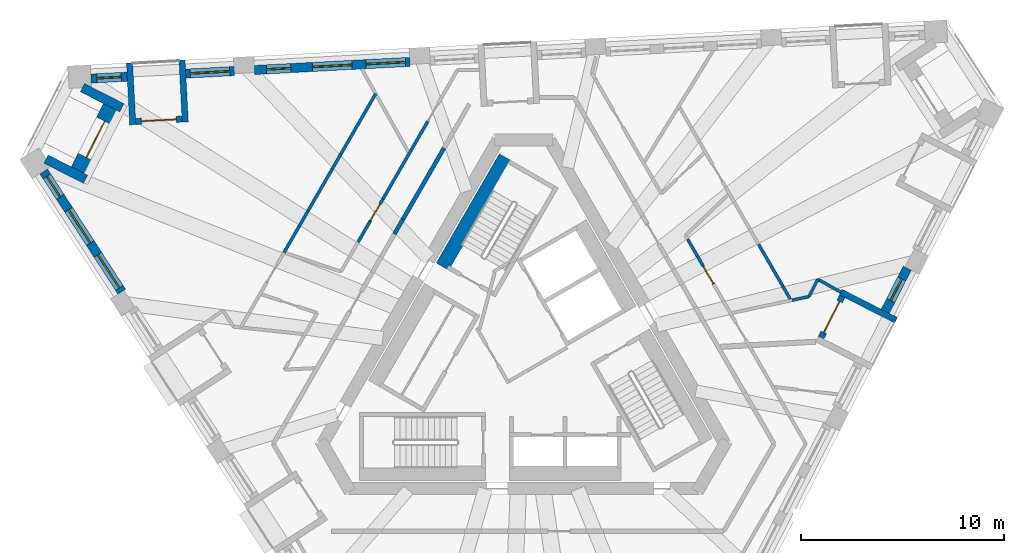
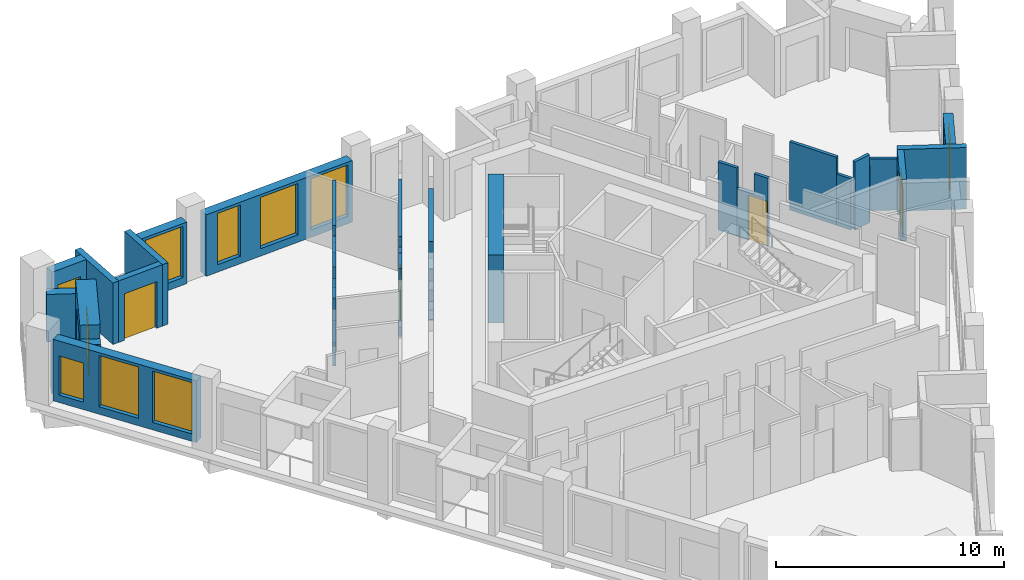
# One storey, part 6 of 12: 31 walls, 9 windows, 5 doors, 14 openings.
"""IFC4 building model written with IfcOpenShell, lengths in metres."""

from ifc_helpers import new_model, si_unit, direction, frame, frame_2d, origin, place, context, subcontext, project, spatial, polyline, rectangle, outline, extrude, material, layer, layer_set, type_object, element, fill, save


model = new_model("IFC4")

# Units and contexts
model_context = context("Model", 3, precision=1e-05, world=origin(), true_north=direction((0.0, 1.0)))
body_context = subcontext(model_context, "Body", "Model", "MODEL_VIEW")
ifc_project = project(units=[si_unit("LENGTHUNIT", "METRE"), si_unit("AREAUNIT", "SQUARE_METRE"), si_unit("VOLUMEUNIT", "CUBIC_METRE"), si_unit("PLANEANGLEUNIT", "RADIAN"), si_unit("MASSUNIT", "GRAM", prefix="KILO")], contexts=[model_context])

# Site, building, storey
site_placement = place(None, origin())
site = spatial("IfcSite", under=ifc_project, at=site_placement, CompositionType="ELEMENT")
building_placement = place(site_placement, origin())
building = spatial("IfcBuilding", under=site, at=building_placement, Name="Tramontana Tower", CompositionType="ELEMENT")
storey_placement = place(building_placement, frame((0.0, 0.0, 302.39990234375)))
storey = spatial("IfcBuildingStorey", under=building, at=storey_placement, Name="L71", CompositionType="ELEMENT", Elevation=302.39990234375)

# Walls
ifc_material_1 = material(Name="Blockwork", Category="masonry")
ifc_layer_1 = layer(ifc_material_1, 0.199951171875)
ifc_layer_set_1 = layer_set([ifc_layer_1], Name="ENTRY WALL 200")
wall_type_1 = type_object("IfcWallType", Name="ENTRY WALL 200", PredefinedType="SOLIDWALL", material=ifc_layer_set_1)
wall_1_placement = place(storey_placement, frame((-6.36328125, 6.07861328125, 0.0), z_axis=(0.0, 0.0, 1.0), x_axis=(0.499950631041, 0.86605390509, 0.0)))
element("IfcWall", 1, at=wall_1_placement, inside=storey, type_object=wall_type_1, Name="Wall v72-ew3-8", PredefinedType="SOLIDWALL", context=body_context, shape_type="SweptSolid", body=[
    extrude(rectangle(XDim=0.83349609375, YDim=0.199951171875, at=frame_2d((0.416748046875, 0.0))), origin(), (0.0, 0.0, 1.0), 2.75),
])
wall_2_placement = place(storey_placement, frame((-5.946533203125, 6.800537109375, 0.0), z_axis=(0.0, 0.0, 1.0), x_axis=(0.500007556608, 0.866021040931, 0.0)))
element("IfcWall", 2, at=wall_2_placement, inside=storey, type_object=wall_type_1, Name="Wall v72-ew3-9", PredefinedType="SOLIDWALL", context=body_context, shape_type="SweptSolid", body=[
    extrude(rectangle(XDim=4.05224609375, YDim=0.199951171875, at=frame_2d((2.026123046875, 0.0))), origin(), (0.0, 0.0, 1.0), 3.650146484375),
])

# Wall, openings, windows
ifc_material_2 = material(Name="Precast concrete 60 MPa", Category="concrete")
ifc_layer_2 = layer(ifc_material_2, 0.449951171875)
ifc_layer_set_2 = layer_set([ifc_layer_2], Name="Precast concrete 60 MPa, 450 mm")
wall_type_2 = type_object("IfcWallType", Name="EW1 Stone-faced precast wall 450", PredefinedType="SOLIDWALL", material=ifc_layer_set_2)
wall_3_placement = place(storey_placement, frame((-23.6259765625, 9.160888671875, 0.0), z_axis=(0.0, 0.0, 1.0), x_axis=(0.54463703186, -0.838671868806, 0.0)))
wall_3 = element("IfcWall", 3, at=wall_3_placement, inside=storey, type_object=wall_type_2, Name="External wall L71 face 0 bay 1", PredefinedType="SOLIDWALL", context=body_context, shape_type="SweptSolid", body=[
    extrude(rectangle(XDim=7.06005859375, YDim=0.449951171875, at=frame_2d((3.530029296875, 0.0))), origin(), (0.0, 0.0, 1.0), 3.300048828125),
])
opening_1_placement = place(wall_3_placement, frame((0.29345703125, 0.0, 0.39990234375)))
opening_1 = element("IfcOpeningElement", 4, at=opening_1_placement, cuts=wall_3, Name="Opening N3L", PredefinedType="OPENING", context=body_context, shape_type="SweptSolid", body=[
    extrude(rectangle(XDim=1.199951171875, YDim=2.10009765625, at=frame_2d((0.60009765625, 1.050048828125))), frame((0.0, 0.23486328125, 0.0), z_axis=(0.0, -1.0, 0.0), x_axis=(1.0, 0.0, 0.0)), (0.0, 0.0, 1.0), 0.469970703125),
])
opening_2_placement = place(wall_3_placement, frame((2.255126953125, 0.0, 0.39990234375)))
opening_2 = element("IfcOpeningElement", 5, at=opening_2_placement, cuts=wall_3, Name="Opening M3", PredefinedType="OPENING", context=body_context, shape_type="SweptSolid", body=[
    extrude(rectangle(XDim=1.949951171875, YDim=2.75, at=frame_2d((0.97509765625, 1.375))), frame((0.0, 0.23486328125, 0.0), z_axis=(0.0, -1.0, 0.0), x_axis=(1.0, 0.0, 0.0)), (0.0, 0.0, 1.0), 0.469970703125),
])
opening_3_placement = place(wall_3_placement, frame((4.891845703125, 0.0, 0.39990234375)))
opening_3 = element("IfcOpeningElement", 6, at=opening_3_placement, cuts=wall_3, Name="Opening M3", PredefinedType="OPENING", context=body_context, shape_type="SweptSolid", body=[
    extrude(rectangle(XDim=1.949951171875, YDim=2.75, at=frame_2d((0.97509765625, 1.375))), frame((0.0, 0.23486328125, 0.0), z_axis=(0.0, -1.0, 0.0), x_axis=(1.0, 0.0, 0.0)), (0.0, 0.0, 1.0), 0.469970703125),
])
ifc_material_3 = material(Name="Aluminum frame, double glazing unit", Category="aluminium")
window_type_1 = type_object("IfcWindowType", Name="M3 Window 1.95 x 2.75", PartitioningType="SINGLE_PANEL", PredefinedType="WINDOW", material=ifc_material_3)
window_1_placement = place(opening_2_placement, origin())
window_1 = element("IfcWindow", 7, at=window_1_placement, inside=storey, type_object=window_type_1, Name="Window M3 L71 face 0 module 2", OverallHeight=2.75, OverallWidth=1.949951171875, PartitioningType="SINGLE_PANEL", PredefinedType="WINDOW", context=body_context, shape_type="SweptSolid", body=[
    extrude(rectangle(XDim=1.949951171875, YDim=2.75, at=frame_2d((0.97509765625, 1.375))), frame((0.0, 0.030029296875, 0.0), z_axis=(0.0, -1.0, 0.0), x_axis=(1.0, 0.0, 0.0)), (0.0, 0.0, 1.0), 0.06005859375),
])
fill(opening_2, window_1)
window_2_placement = place(opening_3_placement, origin())
window_2 = element("IfcWindow", 8, at=window_2_placement, inside=storey, type_object=window_type_1, Name="Window M3 L71 face 0 module 3", OverallHeight=2.75, OverallWidth=1.949951171875, PartitioningType="SINGLE_PANEL", PredefinedType="WINDOW", context=body_context, shape_type="SweptSolid", body=[
    extrude(rectangle(XDim=1.949951171875, YDim=2.75, at=frame_2d((0.97509765625, 1.375))), frame((0.0, 0.030029296875, 0.0), z_axis=(0.0, -1.0, 0.0), x_axis=(1.0, 0.0, 0.0)), (0.0, 0.0, 1.0), 0.06005859375),
])
fill(opening_3, window_2)
ifc_material_4 = material(Name="Aluminum frame, double glazing unit", Category="aluminium")
window_type_2 = type_object("IfcWindowType", Name="N3L Window 1.2 x 2.1", PartitioningType="SINGLE_PANEL", PredefinedType="WINDOW", material=ifc_material_4)
window_3_placement = place(opening_1_placement, origin())
window_3 = element("IfcWindow", 9, at=window_3_placement, inside=storey, type_object=window_type_2, Name="Window N3L L71 face 0 module 1", OverallHeight=2.10009765625, OverallWidth=1.199951171875, PartitioningType="SINGLE_PANEL", PredefinedType="WINDOW", context=body_context, shape_type="SweptSolid", body=[
    extrude(rectangle(XDim=1.199951171875, YDim=2.10009765625, at=frame_2d((0.60009765625, 1.050048828125))), frame((0.0, 0.030029296875, 0.0), z_axis=(0.0, -1.0, 0.0), x_axis=(1.0, 0.0, 0.0)), (0.0, 0.0, 1.0), 0.06005859375),
])
fill(opening_1, window_3)

# Wall, opening, window
wall_4_placement = place(storey_placement, frame((17.796142578125, 2.27197265625, 0.0), z_axis=(0.0, 0.0, 1.0), x_axis=(0.453951830128, 0.891026226283, 0.0)))
wall_4 = element("IfcWall", 10, at=wall_4_placement, inside=storey, type_object=wall_type_2, Name="External wall L71 face 1 bay 4", PredefinedType="SOLIDWALL", context=body_context, shape_type="SweptSolid", body=[
    extrude(rectangle(XDim=2.38671875, YDim=0.449951171875, at=frame_2d((1.193359375, 0.0))), origin(), (0.0, 0.0, 1.0), 3.300048828125),
])
opening_4_placement = place(wall_4_placement, frame((0.59326171875, 0.0, 0.39990234375)))
opening_4 = element("IfcOpeningElement", 11, at=opening_4_placement, cuts=wall_4, Name="Opening N3", PredefinedType="OPENING", context=body_context, shape_type="SweptSolid", body=[
    extrude(rectangle(XDim=1.199951171875, YDim=2.75, at=frame_2d((0.60009765625, 1.375))), frame((0.0, 0.23486328125, 0.0), z_axis=(0.0, -1.0, 0.0), x_axis=(1.0, 0.0, 0.0)), (0.0, 0.0, 1.0), 0.469970703125),
])
ifc_material_5 = material(Name="Aluminum frame, double glazing unit", Category="aluminium")
window_type_3 = type_object("IfcWindowType", Name="N3 Window 1.2 x 2.75", PartitioningType="SINGLE_PANEL", PredefinedType="WINDOW", material=ifc_material_5)
window_4_placement = place(opening_4_placement, origin())
window_4 = element("IfcWindow", 12, at=window_4_placement, inside=storey, type_object=window_type_3, Name="Window N3 L71 face 1 module 12", OverallHeight=2.75, OverallWidth=1.199951171875, PartitioningType="SINGLE_PANEL", PredefinedType="WINDOW", context=body_context, shape_type="SweptSolid", body=[
    extrude(rectangle(XDim=1.199951171875, YDim=2.75, at=frame_2d((0.60009765625, 1.375))), frame((0.0, 0.030029296875, 0.0), z_axis=(0.0, -1.0, 0.0), x_axis=(1.0, 0.0, 0.0)), (0.0, 0.0, 1.0), 0.06005859375),
])
fill(opening_4, window_4)

# Wall, openings, windows
wall_5_placement = place(storey_placement, frame((-5.599365234375, 14.552001953125, 0.0), z_axis=(0.0, 0.0, 1.0), x_axis=(-0.998628023429, -0.052364786088, 0.0)))
wall_5 = element("IfcWall", 13, at=wall_5_placement, inside=storey, type_object=wall_type_2, Name="External wall L71 face 2 bay 4", PredefinedType="SOLIDWALL", context=body_context, shape_type="SweptSolid", body=[
    extrude(rectangle(XDim=7.66015625, YDim=0.449951171875, at=frame_2d((3.830078125, 0.0))), origin(), (0.0, 0.0, 1.0), 3.300048828125),
])
opening_5_placement = place(wall_5_placement, frame((0.21826171875, 0.0, 0.39990234375)))
opening_5 = element("IfcOpeningElement", 14, at=opening_5_placement, cuts=wall_5, Name="Opening M3", PredefinedType="OPENING", context=body_context, shape_type="SweptSolid", body=[
    extrude(rectangle(XDim=1.949951171875, YDim=2.75, at=frame_2d((0.97509765625, 1.375))), frame((0.0, 0.23486328125, 0.0), z_axis=(0.0, -1.0, 0.0), x_axis=(1.0, 0.0, 0.0)), (0.0, 0.0, 1.0), 0.469970703125),
])
opening_6_placement = place(wall_5_placement, frame((2.855224609375, 0.0, 0.39990234375)))
opening_6 = element("IfcOpeningElement", 15, at=opening_6_placement, cuts=wall_5, Name="Opening M3", PredefinedType="OPENING", context=body_context, shape_type="SweptSolid", body=[
    extrude(rectangle(XDim=1.949951171875, YDim=2.75, at=frame_2d((0.97509765625, 1.375))), frame((0.0, 0.23486328125, 0.0), z_axis=(0.0, -1.0, 0.0), x_axis=(1.0, 0.0, 0.0)), (0.0, 0.0, 1.0), 0.469970703125),
])
opening_7_placement = place(wall_5_placement, frame((5.866943359375, 0.0, 0.39990234375)))
opening_7 = element("IfcOpeningElement", 16, at=opening_7_placement, cuts=wall_5, Name="Opening N3", PredefinedType="OPENING", context=body_context, shape_type="SweptSolid", body=[
    extrude(rectangle(XDim=1.199951171875, YDim=2.75, at=frame_2d((0.60009765625, 1.375))), frame((0.0, 0.23486328125, 0.0), z_axis=(0.0, -1.0, 0.0), x_axis=(1.0, 0.0, 0.0)), (0.0, 0.0, 1.0), 0.469970703125),
])
window_5_placement = place(opening_5_placement, origin())
window_5 = element("IfcWindow", 17, at=window_5_placement, inside=storey, type_object=window_type_1, Name="Window M3 L71 face 2 module 10", OverallHeight=2.75, OverallWidth=1.949951171875, PartitioningType="SINGLE_PANEL", PredefinedType="WINDOW", context=body_context, shape_type="SweptSolid", body=[
    extrude(rectangle(XDim=1.949951171875, YDim=2.75, at=frame_2d((0.97509765625, 1.375))), frame((0.0, 0.030029296875, 0.0), z_axis=(0.0, -1.0, 0.0), x_axis=(1.0, 0.0, 0.0)), (0.0, 0.0, 1.0), 0.06005859375),
])
fill(opening_5, window_5)
window_6_placement = place(opening_6_placement, origin())
window_6 = element("IfcWindow", 18, at=window_6_placement, inside=storey, type_object=window_type_1, Name="Window M3 L71 face 2 module 11", OverallHeight=2.75, OverallWidth=1.949951171875, PartitioningType="SINGLE_PANEL", PredefinedType="WINDOW", context=body_context, shape_type="SweptSolid", body=[
    extrude(rectangle(XDim=1.949951171875, YDim=2.75, at=frame_2d((0.97509765625, 1.375))), frame((0.0, 0.030029296875, 0.0), z_axis=(0.0, -1.0, 0.0), x_axis=(1.0, 0.0, 0.0)), (0.0, 0.0, 1.0), 0.06005859375),
])
fill(opening_6, window_6)
window_7_placement = place(opening_7_placement, origin())
window_7 = element("IfcWindow", 19, at=window_7_placement, inside=storey, type_object=window_type_3, Name="Window N3 L71 face 2 module 12", OverallHeight=2.75, OverallWidth=1.199951171875, PartitioningType="SINGLE_PANEL", PredefinedType="WINDOW", context=body_context, shape_type="SweptSolid", body=[
    extrude(rectangle(XDim=1.199951171875, YDim=2.75, at=frame_2d((0.60009765625, 1.375))), frame((0.0, 0.030029296875, 0.0), z_axis=(0.0, -1.0, 0.0), x_axis=(1.0, 0.0, 0.0)), (0.0, 0.0, 1.0), 0.06005859375),
])
fill(opening_7, window_7)

# Wall, opening, window
wall_6_placement = place(storey_placement, frame((-14.247802734375, 14.0986328125, 0.0), z_axis=(0.0, 0.0, 1.0), x_axis=(-0.998627701279, -0.052370929331, 0.0)))
wall_6 = element("IfcWall", 20, at=wall_6_placement, inside=storey, type_object=wall_type_2, Name="External wall L71 face 2 bay 5", PredefinedType="SOLIDWALL", context=body_context, shape_type="SweptSolid", body=[
    extrude(rectangle(XDim=2.38671875, YDim=0.449951171875, at=frame_2d((1.193359375, 0.0))), origin(), (0.0, 0.0, 1.0), 3.300048828125),
])
opening_8_placement = place(wall_6_placement, frame((0.21826171875, 0.0, 0.39990234375)))
opening_8 = element("IfcOpeningElement", 21, at=opening_8_placement, cuts=wall_6, Name="Opening M3", PredefinedType="OPENING", context=body_context, shape_type="SweptSolid", body=[
    extrude(rectangle(XDim=1.949951171875, YDim=2.75, at=frame_2d((0.97509765625, 1.375))), frame((0.0, 0.23486328125, 0.0), z_axis=(0.0, -1.0, 0.0), x_axis=(1.0, 0.0, 0.0)), (0.0, 0.0, 1.0), 0.469970703125),
])
window_8_placement = place(opening_8_placement, origin())
window_8 = element("IfcWindow", 22, at=window_8_placement, inside=storey, type_object=window_type_1, Name="Window M3 L71 face 2 module 13", OverallHeight=2.75, OverallWidth=1.949951171875, PartitioningType="SINGLE_PANEL", PredefinedType="WINDOW", context=body_context, shape_type="SweptSolid", body=[
    extrude(rectangle(XDim=1.949951171875, YDim=2.75, at=frame_2d((0.97509765625, 1.375))), frame((0.0, 0.030029296875, 0.0), z_axis=(0.0, -1.0, 0.0), x_axis=(1.0, 0.0, 0.0)), (0.0, 0.0, 1.0), 0.06005859375),
])
fill(opening_8, window_8)

wall_7_placement = place(storey_placement, frame((-19.51416015625, 13.82275390625, 0.0), z_axis=(0.0, 0.0, 1.0), x_axis=(-0.998629506551, -0.052336494391, 0.0)))
wall_7 = element("IfcWall", 23, at=wall_7_placement, inside=storey, type_object=wall_type_2, Name="External wall L71 face 2 bay 5", PredefinedType="SOLIDWALL", context=body_context, shape_type="SweptSolid", body=[
    extrude(rectangle(XDim=1.78662109375, YDim=0.449951171875, at=frame_2d((0.893310546875, 0.0))), origin(), (0.0, 0.0, 1.0), 3.300048828125),
])
opening_9_placement = place(wall_7_placement, frame((0.29345703125, 0.0, 0.39990234375)))
opening_9 = element("IfcOpeningElement", 24, at=opening_9_placement, cuts=wall_7, Name="Opening N3L", PredefinedType="OPENING", context=body_context, shape_type="SweptSolid", body=[
    extrude(rectangle(XDim=1.199951171875, YDim=2.10009765625, at=frame_2d((0.60009765625, 1.050048828125))), frame((0.0, 0.23486328125, 0.0), z_axis=(0.0, -1.0, 0.0), x_axis=(1.0, 0.0, 0.0)), (0.0, 0.0, 1.0), 0.469970703125),
])
window_9_placement = place(opening_9_placement, origin())
window_9 = element("IfcWindow", 25, at=window_9_placement, inside=storey, type_object=window_type_2, Name="Window N3L L71 face 2 module 15", OverallHeight=2.10009765625, OverallWidth=1.199951171875, PartitioningType="SINGLE_PANEL", PredefinedType="WINDOW", context=body_context, shape_type="SweptSolid", body=[
    extrude(rectangle(XDim=1.199951171875, YDim=2.10009765625, at=frame_2d((0.60009765625, 1.050048828125))), frame((0.0, 0.030029296875, 0.0), z_axis=(0.0, -1.0, 0.0), x_axis=(1.0, 0.0, 0.0)), (0.0, 0.0, 1.0), 0.06005859375),
])
fill(opening_9, window_9)

# Walls
wall_8_placement = place(storey_placement, frame((-23.509765625, 9.76220703125, 0.0), z_axis=(0.0, 0.0, 1.0), x_axis=(0.891041206664, -0.45392242512, 0.0)))
element("IfcWall", 26, at=wall_8_placement, inside=storey, type_object=wall_type_2, Name="Corner loggia side wall L71 K70l", PredefinedType="SOLIDWALL", context=body_context, shape_type="SweptSolid", body=[
    extrude(rectangle(XDim=2.179443359375, YDim=0.449951171875, at=frame_2d((1.08984375, 0.0))), origin(), (0.0, 0.0, 1.0), 2.550048828125),
])
wall_9_placement = place(storey_placement, frame((-21.71630859375, 13.28173828125, 0.0), z_axis=(0.0, 0.0, 1.0), x_axis=(0.890972801346, -0.454056678468, 0.0)))
element("IfcWall", 27, at=wall_9_placement, inside=storey, type_object=wall_type_2, Name="Corner loggia side wall L71 K70r", PredefinedType="SOLIDWALL", context=body_context, shape_type="SweptSolid", body=[
    extrude(rectangle(XDim=2.17919921875, YDim=0.449951171875, at=frame_2d((1.089599609375, 0.0))), origin(), (0.0, 0.0, 1.0), 2.550048828125),
])

# Wall, opening, door
ifc_material_6 = material(Name="Precast concrete 60 MPa", Category="concrete")
ifc_layer_3 = layer(ifc_material_6, 0.89990234375)
ifc_layer_set_3 = layer_set([ifc_layer_3], Name="EW2 Stone-faced corner loggia wall 900")
wall_type_3 = type_object("IfcWallType", Name="EW2 Stone-faced corner loggia wall 900", PredefinedType="SOLIDWALL", material=ifc_layer_set_3)
wall_10_placement = place(storey_placement, frame((-21.86669921875, 9.177734375, 0.0), z_axis=(0.0, 0.0, 1.0), x_axis=(0.453981164527, 0.891011280655, 0.0)))
wall_10 = element("IfcWall", 28, at=wall_10_placement, inside=storey, type_object=wall_type_3, Name="Corner loggia wall L71 K70", PredefinedType="SOLIDWALL", context=body_context, shape_type="SweptSolid", body=[
    extrude(rectangle(XDim=3.499755859375, YDim=0.89990234375, at=frame_2d((1.75, 0.0))), origin(), (0.0, 0.0, 1.0), 3.300048828125),
])
opening_10_placement = place(wall_10_placement, frame((0.75, 0.0, 0.0)))
opening_10 = element("IfcOpeningElement", 29, at=opening_10_placement, cuts=wall_10, Name="Opening BD-70C", PredefinedType="OPENING", context=body_context, shape_type="SweptSolid", body=[
    extrude(rectangle(XDim=2.0, YDim=2.39990234375, at=frame_2d((1.0, 1.199951171875))), frame((0.0, 0.4599609375, 0.0), z_axis=(0.0, -1.0, 0.0), x_axis=(1.0, 0.0, 0.0)), (0.0, 0.0, 1.0), 0.919921875),
])
ifc_material_7 = material(Name="Aluminum frame, double glazing unit", Category="aluminium")
door_type_1 = type_object("IfcDoorType", Name="BC1 Sliding door 2 x 2.4", OperationType="SLIDING_TO_LEFT", PredefinedType="DOOR", material=ifc_material_7)
door_1_placement = place(opening_10_placement, origin())
door_1 = element("IfcDoor", 30, at=door_1_placement, inside=storey, type_object=door_type_1, Name="Corner loggia door L71 K70", OperationType="SLIDING_TO_LEFT", OverallHeight=2.39990234375, OverallWidth=2.0, PredefinedType="DOOR", context=body_context, shape_type="SweptSolid", body=[
    extrude(rectangle(XDim=2.0, YDim=2.39990234375, at=frame_2d((1.0, 1.199951171875))), frame((0.0, 0.02490234375, 0.0), z_axis=(0.0, -1.0, 0.0), x_axis=(1.0, 0.0, 0.0)), (0.0, 0.0, 1.0), 0.050048828125),
])
fill(opening_10, door_1)

ifc_material_8 = material(Name="Precast concrete 60 MPa", Category="concrete")
ifc_layer_4 = layer(ifc_material_8, 0.300048828125)
ifc_layer_set_4 = layer_set([ifc_layer_4], Name="LW1 Stone-faced loggia wall 300")
wall_type_4 = type_object("IfcWallType", Name="LW1 Stone-faced loggia wall 300", PredefinedType="SOLIDWALL", material=ifc_layer_set_4)
wall_11_placement = place(storey_placement, frame((14.63916015625, 0.977294921875, 0.0), z_axis=(0.0, 0.0, 1.0), x_axis=(0.45403292632, 0.890984905494, 0.0)))
wall_11 = element("IfcWall", 31, at=wall_11_placement, inside=storey, type_object=wall_type_4, Name="Loggia wall L71 G7S1.10", PredefinedType="SOLIDWALL", context=body_context, shape_type="SweptSolid", body=[
    extrude(rectangle(XDim=2.286865234375, YDim=0.300048828125, at=frame_2d((1.1435546875, 0.0))), origin(), (0.0, 0.0, 1.0), 3.300048828125),
])
opening_11_placement = place(wall_11_placement, frame((0.29345703125, 0.0, 0.0)))
opening_11 = element("IfcOpeningElement", 32, at=opening_11_placement, cuts=wall_11, Name="Opening BD-7S1-10", PredefinedType="OPENING", context=body_context, shape_type="SweptSolid", body=[
    extrude(rectangle(XDim=1.699951171875, YDim=2.5, at=frame_2d((0.85009765625, 1.25))), frame((0.0, 0.159912109375, 0.0), z_axis=(0.0, -1.0, 0.0), x_axis=(1.0, 0.0, 0.0)), (0.0, 0.0, 1.0), 0.320068359375),
])
ifc_material_9 = material(Name="Aluminum frame, double glazing unit", Category="aluminium")
door_type_2 = type_object("IfcDoorType", Name="BD3 Sliding door 1.7 x 2.5", OperationType="SLIDING_TO_LEFT", PredefinedType="DOOR", material=ifc_material_9)
door_2_placement = place(opening_11_placement, origin())
door_2 = element("IfcDoor", 33, at=door_2_placement, inside=storey, type_object=door_type_2, Name="Loggia door L71 G7S1.10", OperationType="SLIDING_TO_LEFT", OverallHeight=2.5, OverallWidth=1.699951171875, PredefinedType="DOOR", context=body_context, shape_type="SweptSolid", body=[
    extrude(rectangle(XDim=1.699951171875, YDim=2.5, at=frame_2d((0.85009765625, 1.25))), frame((0.0, 0.02490234375, 0.0), z_axis=(0.0, -1.0, 0.0), x_axis=(1.0, 0.0, 0.0)), (0.0, 0.0, 1.0), 0.050048828125),
])
fill(opening_11, door_2)

# Wall
wall_12_placement = place(storey_placement, frame((18.329345703125, 1.831787109375, 0.0), z_axis=(0.0, 0.0, 1.0), x_axis=(-0.890991233495, 0.454020508165, 0.0)))
element("IfcWall", 34, at=wall_12_placement, inside=storey, type_object=wall_type_4, Name="Loggia return L71 G7S1.10b", PredefinedType="SOLIDWALL", context=body_context, shape_type="SweptSolid", body=[
    extrude(rectangle(XDim=3.050048828125, YDim=0.300048828125, at=frame_2d((1.52490234375, 0.0))), origin(), (0.0, 0.0, 1.0), 3.300048828125),
])

# Wall, opening, door
wall_13_placement = place(storey_placement, frame((-16.814453125, 11.736083984375, 0.0), z_axis=(0.0, 0.0, 1.0), x_axis=(-0.998630483018, -0.052317859155, 0.0)))
wall_13 = element("IfcWall", 35, at=wall_13_placement, inside=storey, type_object=wall_type_4, Name="Loggia wall L71 G7S2.13", PredefinedType="SOLIDWALL", context=body_context, shape_type="SweptSolid", body=[
    extrude(rectangle(XDim=2.28662109375, YDim=0.300048828125, at=frame_2d((1.143310546875, 0.0))), origin(), (0.0, 0.0, 1.0), 3.300048828125),
])
opening_12_placement = place(wall_13_placement, frame((0.29345703125, 0.0, 0.0)))
opening_12 = element("IfcOpeningElement", 36, at=opening_12_placement, cuts=wall_13, Name="Opening BD-7S2-13", PredefinedType="OPENING", context=body_context, shape_type="SweptSolid", body=[
    extrude(rectangle(XDim=1.699951171875, YDim=2.5, at=frame_2d((0.85009765625, 1.25))), frame((0.0, 0.159912109375, 0.0), z_axis=(0.0, -1.0, 0.0), x_axis=(1.0, 0.0, 0.0)), (0.0, 0.0, 1.0), 0.320068359375),
])
door_3_placement = place(opening_12_placement, origin())
door_3 = element("IfcDoor", 37, at=door_3_placement, inside=storey, type_object=door_type_2, Name="Loggia door L71 G7S2.13", OperationType="SLIDING_TO_LEFT", OverallHeight=2.5, OverallWidth=1.699951171875, PredefinedType="DOOR", context=body_context, shape_type="SweptSolid", body=[
    extrude(rectangle(XDim=1.699951171875, YDim=2.5, at=frame_2d((0.85009765625, 1.25))), frame((0.0, 0.02490234375, 0.0), z_axis=(0.0, -1.0, 0.0), x_axis=(1.0, 0.0, 0.0)), (0.0, 0.0, 1.0), 0.050048828125),
])
fill(opening_12, door_3)

# Walls
wall_14_placement = place(storey_placement, frame((-16.81640625, 14.639892578125, 0.0), z_axis=(0.0, 0.0, 1.0), x_axis=(0.052352956549, -0.998628643661, 0.0)))
element("IfcWall", 38, at=wall_14_placement, inside=storey, type_object=wall_type_4, Name="Loggia return L71 G7S2.13a", PredefinedType="SOLIDWALL", context=body_context, shape_type="SweptSolid", body=[
    extrude(rectangle(XDim=3.0498046875, YDim=0.300048828125, at=frame_2d((1.52490234375, 0.0))), origin(), (0.0, 0.0, 1.0), 3.300048828125),
])
wall_15_placement = place(storey_placement, frame((-19.399658203125, 14.504638671875, 0.0), z_axis=(0.0, 0.0, 1.0), x_axis=(0.052348771756, -0.99862886304, 0.0)))
element("IfcWall", 39, at=wall_15_placement, inside=storey, type_object=wall_type_4, Name="Loggia return L71 G7S2.13b", PredefinedType="SOLIDWALL", context=body_context, shape_type="SweptSolid", body=[
    extrude(rectangle(XDim=3.050048828125, YDim=0.300048828125, at=frame_2d((1.52490234375, 0.0))), origin(), (0.0, 0.0, 1.0), 3.300048828125),
])
ifc_material_10 = material(Name="Gypsum board partition")
ifc_layer_5 = layer(ifc_material_10, 0.14990234375)
ifc_layer_set_5 = layer_set([ifc_layer_5], Name="PARTITION 150")
wall_type_5 = type_object("IfcWallType", Name="PARTITION 150", PredefinedType="PARTITIONING", material=ifc_layer_set_5)
wall_16_placement = place(storey_placement, frame((-11.7998046875, 5.162109375, 0.0), z_axis=(0.0, 0.0, 1.0), x_axis=(0.500035089595, 0.866005143849, 0.0)))
element("IfcWall", 40, at=wall_16_placement, inside=storey, type_object=wall_type_5, Name="Wall v72-pw03-3", PredefinedType="PARTITIONING", context=body_context, shape_type="SweptSolid", body=[
    extrude(rectangle(XDim=1.509765625, YDim=0.14990234375, at=frame_2d((0.7548828125, 0.0))), origin(), (0.0, 0.0, 1.0), 3.650146484375),
])
wall_17_placement = place(storey_placement, frame((-11.044921875, 6.469482421875, 0.0), z_axis=(0.0, 0.0, 1.0), x_axis=(0.499947731247, 0.86605557906, 0.0)))
element("IfcWall", 41, at=wall_17_placement, inside=storey, type_object=wall_type_5, Name="Wall v72-pw03-4", PredefinedType="PARTITIONING", context=body_context, shape_type="SweptSolid", body=[
    extrude(rectangle(XDim=0.87548828125, YDim=0.14990234375, at=frame_2d((0.437744140625, 0.0))), origin(), (0.0, 0.0, 1.0), 2.550048828125),
])
wall_18_placement = place(storey_placement, frame((-10.607177734375, 7.227783203125, 0.0), z_axis=(0.0, 0.0, 1.0), x_axis=(0.500029994224, 0.866008085918, 0.0)))
element("IfcWall", 42, at=wall_18_placement, inside=storey, type_object=wall_type_5, Name="Wall v72-pw03-5", PredefinedType="PARTITIONING", context=body_context, shape_type="SweptSolid", body=[
    extrude(rectangle(XDim=2.382080078125, YDim=0.14990234375, at=frame_2d((1.19091796875, 0.0))), origin(), (0.0, 0.0, 1.0), 3.650146484375),
])
wall_19_placement = place(storey_placement, frame((-9.416015625, 9.290771484375, 0.0), z_axis=(0.0, 0.0, 1.0), x_axis=(0.499879522619, 0.86609495026, 0.0)))
element("IfcWall", 43, at=wall_19_placement, inside=storey, type_object=wall_type_5, Name="Wall v72-pw03-6", PredefinedType="PARTITIONING", context=body_context, shape_type="SweptSolid", body=[
    extrude(rectangle(XDim=0.807373046875, YDim=0.14990234375, at=frame_2d((0.40380859375, 0.0))), origin(), (0.0, 0.0, 1.0), 2.75),
])
wall_20_placement = place(storey_placement, frame((-9.012451171875, 9.989990234375, 0.0), z_axis=(0.0, 0.0, 1.0), x_axis=(0.49999593142, 0.866027752767, 0.0)))
element("IfcWall", 44, at=wall_20_placement, inside=storey, type_object=wall_type_5, Name="Wall v72-pw03-7", PredefinedType="PARTITIONING", context=body_context, shape_type="SweptSolid", body=[
    extrude(rectangle(XDim=3.45166015625, YDim=0.14990234375, at=frame_2d((1.725830078125, 0.0))), origin(), (0.0, 0.0, 1.0), 3.650146484375),
])
wall_21_placement = place(storey_placement, frame((-8.154296875, 5.67626953125, 0.0), z_axis=(0.0, 0.0, 1.0), x_axis=(0.499997709859, 0.866026725994, 0.0)))
element("IfcWall", 45, at=wall_21_placement, inside=storey, type_object=wall_type_5, Name="Wall v72-pw10-2", PredefinedType="PARTITIONING", context=body_context, shape_type="SweptSolid", body=[
    extrude(rectangle(XDim=1.17724609375, YDim=0.14990234375, at=frame_2d((0.588623046875, 0.0))), origin(), (0.0, 0.0, 1.0), 3.650146484375),
])

# Wall, opening, door
wall_22_placement = place(storey_placement, frame((-7.565673828125, 6.69580078125, 0.0), z_axis=(0.0, 0.0, 1.0), x_axis=(0.49996976238, 0.866042860778, 0.0)))
wall_22 = element("IfcWall", 46, at=wall_22_placement, inside=storey, type_object=wall_type_5, Name="Wall v72-pw10-3", PredefinedType="PARTITIONING", context=body_context, shape_type="SweptSolid", body=[
    extrude(outline(polyline([(0.0, 0.0), (1.28173828125, 0.0), (1.28173828125, 2.75), (0.474365234375, 2.75), (0.474365234375, 3.650146484375), (0.0, 3.650146484375), (0.0, 0.0)])), frame((0.0, 0.074951171875, 0.0), z_axis=(0.0, -1.0, 0.0), x_axis=(1.0, 0.0, 0.0)), (0.0, 0.0, 1.0), 0.14990234375),
])
opening_13_placement = place(wall_22_placement, frame((0.050048828125, 0.0, 0.0)))
opening_13 = element("IfcOpeningElement", 47, at=opening_13_placement, cuts=wall_22, Name="Opening B7C-01", PredefinedType="OPENING", context=body_context, shape_type="SweptSolid", body=[
    extrude(rectangle(XDim=0.949951171875, YDim=2.39990234375, at=frame_2d((0.47509765625, 1.199951171875))), frame((0.0, 0.0849609375, 0.0), z_axis=(0.0, -1.0, 0.0), x_axis=(1.0, 0.0, 0.0)), (0.0, 0.0, 1.0), 0.169921875),
])
ifc_material_11 = material(Name="Painted timber", Category="wood")
door_type_3 = type_object("IfcDoorType", Name="DOOR ROOM 950", OperationType="SINGLE_SWING_LEFT", PredefinedType="DOOR", material=ifc_material_11)
door_4_placement = place(opening_13_placement, origin())
door_4 = element("IfcDoor", 48, at=door_4_placement, inside=storey, type_object=door_type_3, Name="Door B7C-01", OperationType="SINGLE_SWING_LEFT", OverallHeight=2.39990234375, OverallWidth=0.949951171875, PredefinedType="DOOR", context=body_context, shape_type="SweptSolid", body=[
    extrude(rectangle(XDim=0.949951171875, YDim=2.39990234375, at=frame_2d((0.47509765625, 1.199951171875))), frame((0.0, 0.02490234375, 0.0), z_axis=(0.0, -1.0, 0.0), x_axis=(1.0, 0.0, 0.0)), (0.0, 0.0, 1.0), 0.050048828125),
])
fill(opening_13, door_4)

# Walls
wall_23_placement = place(storey_placement, frame((-6.9248046875, 7.805908203125, 0.0), z_axis=(0.0, 0.0, 1.0), x_axis=(0.500024628788, 0.86601118388, 0.0)))
element("IfcWall", 49, at=wall_23_placement, inside=storey, type_object=wall_type_5, Name="Wall v72-pw10-4", PredefinedType="PARTITIONING", context=body_context, shape_type="SweptSolid", body=[
    extrude(rectangle(XDim=4.406005859375, YDim=0.14990234375, at=frame_2d((2.203125, 0.0))), origin(), (0.0, 0.0, 1.0), 3.650146484375),
])
wall_24_placement = place(storey_placement, frame((11.563232421875, 5.572021484375, 0.0), z_axis=(0.0, 0.0, 1.0), x_axis=(0.499997507361, -0.866026842905, 0.0)))
element("IfcWall", 50, at=wall_24_placement, inside=storey, type_object=wall_type_5, Name="Wall v72-pw26-6", PredefinedType="PARTITIONING", context=body_context, shape_type="SweptSolid", body=[
    extrude(rectangle(XDim=2.3818359375, YDim=0.14990234375, at=frame_2d((1.19091796875, 0.0))), origin(), (0.0, 0.0, 1.0), 3.650146484375),
])
wall_25_placement = place(storey_placement, frame((12.754150390625, 3.50927734375, 0.0), z_axis=(0.0, 0.0, 1.0), x_axis=(0.499858068882, -0.866107332248, 0.0)))
element("IfcWall", 51, at=wall_25_placement, inside=storey, type_object=wall_type_5, Name="Wall v72-pw26-7", PredefinedType="PARTITIONING", context=body_context, shape_type="SweptSolid", body=[
    extrude(rectangle(XDim=0.727294921875, YDim=0.14990234375, at=frame_2d((0.36376953125, 0.0))), origin(), (0.0, 0.0, 1.0), 2.75),
])
wall_26_placement = place(storey_placement, frame((8.071044921875, 5.820556640625, 0.0), z_axis=(0.0, 0.0, 1.0), x_axis=(0.500071713487, -0.865983996024, 0.0)))
element("IfcWall", 52, at=wall_26_placement, inside=storey, type_object=wall_type_5, Name="Wall v72-pw27-1", PredefinedType="PARTITIONING", context=body_context, shape_type="SweptSolid", body=[
    extrude(rectangle(XDim=0.968017578125, YDim=0.14990234375, at=frame_2d((0.48388671875, 0.0))), origin(), (0.0, 0.0, 1.0), 3.650146484375),
])

# Wall, opening, door
wall_27_placement = place(storey_placement, frame((8.55517578125, 4.982177734375, 0.0), z_axis=(0.0, 0.0, 1.0), x_axis=(0.499936960004, -0.866061796884, 0.0)))
wall_27 = element("IfcWall", 53, at=wall_27_placement, inside=storey, type_object=wall_type_5, Name="Wall v72-pw27-2", PredefinedType="PARTITIONING", context=body_context, shape_type="SweptSolid", body=[
    extrude(outline(polyline([(0.0, 0.0), (1.576416015625, 0.0), (1.576416015625, 3.650146484375), (0.875732421875, 3.650146484375), (0.875732421875, 2.550048828125), (0.0, 2.550048828125), (0.0, 0.0)])), frame((0.0, 0.074951171875, 0.0), z_axis=(0.0, -1.0, 0.0), x_axis=(1.0, 0.0, 0.0)), (0.0, 0.0, 1.0), 0.14990234375),
])
opening_14_placement = place(wall_27_placement, frame((0.576416015625, 0.0, 0.0)))
opening_14 = element("IfcOpeningElement", 54, at=opening_14_placement, cuts=wall_27, Name="Opening B7C-12", PredefinedType="OPENING", context=body_context, shape_type="SweptSolid", body=[
    extrude(rectangle(XDim=0.949951171875, YDim=2.39990234375, at=frame_2d((0.47509765625, 1.199951171875))), frame((0.0, 0.0849609375, 0.0), z_axis=(0.0, -1.0, 0.0), x_axis=(1.0, 0.0, 0.0)), (0.0, 0.0, 1.0), 0.169921875),
])
door_5_placement = place(opening_14_placement, origin())
door_5 = element("IfcDoor", 55, at=door_5_placement, inside=storey, type_object=door_type_3, Name="Door B7C-12", OperationType="SINGLE_SWING_RIGHT", OverallHeight=2.39990234375, OverallWidth=0.949951171875, PredefinedType="DOOR", context=body_context, shape_type="SweptSolid", body=[
    extrude(rectangle(XDim=0.949951171875, YDim=2.39990234375, at=frame_2d((0.47509765625, 1.199951171875))), frame((0.0, 0.02490234375, 0.0), z_axis=(0.0, -1.0, 0.0), x_axis=(1.0, 0.0, 0.0)), (0.0, 0.0, 1.0), 0.050048828125),
])
fill(opening_14, door_5)

# Walls
wall_28_placement = place(storey_placement, frame((14.04248046875, 3.000244140625, 0.0), z_axis=(0.0, 0.0, 1.0), x_axis=(-0.977943969584, -0.20886740376, 0.0)))
element("IfcWall", 56, at=wall_28_placement, inside=storey, type_object=wall_type_5, Name="Wall v72-pw32-0", PredefinedType="PARTITIONING", context=body_context, shape_type="SweptSolid", body=[
    extrude(rectangle(XDim=0.856689453125, YDim=0.14990234375, at=frame_2d((0.42822265625, 0.0))), origin(), (0.0, 0.0, 1.0), 3.650146484375),
])
wall_29_placement = place(storey_placement, frame((14.475341796875, 3.849853515625, 0.0), z_axis=(0.0, 0.0, 1.0), x_axis=(-0.454063887125, -0.890969127641, 0.0)))
element("IfcWall", 57, at=wall_29_placement, inside=storey, type_object=wall_type_5, Name="Wall v72-pw33-0", PredefinedType="PARTITIONING", context=body_context, shape_type="SweptSolid", body=[
    extrude(rectangle(XDim=0.953369140625, YDim=0.14990234375, at=frame_2d((0.4765625, 0.0))), origin(), (0.0, 0.0, 1.0), 2.75),
])
wall_30_placement = place(storey_placement, frame((15.61181640625, 3.216552734375, 0.0), z_axis=(0.0, 0.0, 1.0), x_axis=(-0.872797500837, 0.488082495623, 0.0)))
element("IfcWall", 58, at=wall_30_placement, inside=storey, type_object=wall_type_5, Name="Wall v72-pw35-0", PredefinedType="PARTITIONING", context=body_context, shape_type="SweptSolid", body=[
    extrude(rectangle(XDim=1.299072265625, YDim=0.14990234375, at=frame_2d((0.6494140625, 0.0))), origin(), (0.0, 0.0, 1.0), 2.75),
])
ifc_material_12 = material(Name="Concrete 70 MPa", Category="concrete")
ifc_layer_6 = layer(ifc_material_12, 0.699951171875)
ifc_layer_set_6 = layer_set([ifc_layer_6], Name="Concrete 70 MPa, 700 mm")
wall_type_6 = type_object("IfcWallType", Name="RC SHAFT BACK WALL 700", PredefinedType="SOLIDWALL", material=ifc_layer_set_6)
wall_31_placement = place(storey_placement, frame((-0.896240234375, 9.847412109375, 0.0), z_axis=(0.0, 0.0, 1.0), x_axis=(-0.500009909098, -0.866019682689, 0.0)))
element("IfcWall", 59, at=wall_31_placement, inside=storey, type_object=wall_type_6, Name="Wall st1-back", PredefinedType="SOLIDWALL", context=body_context, shape_type="SweptSolid", body=[
    extrude(rectangle(XDim=6.199951171875, YDim=0.699951171875, at=frame_2d((3.10009765625, 0.0))), origin(), (0.0, 0.0, 1.0), 3.650146484375),
])

save(model, "model.ifc")
